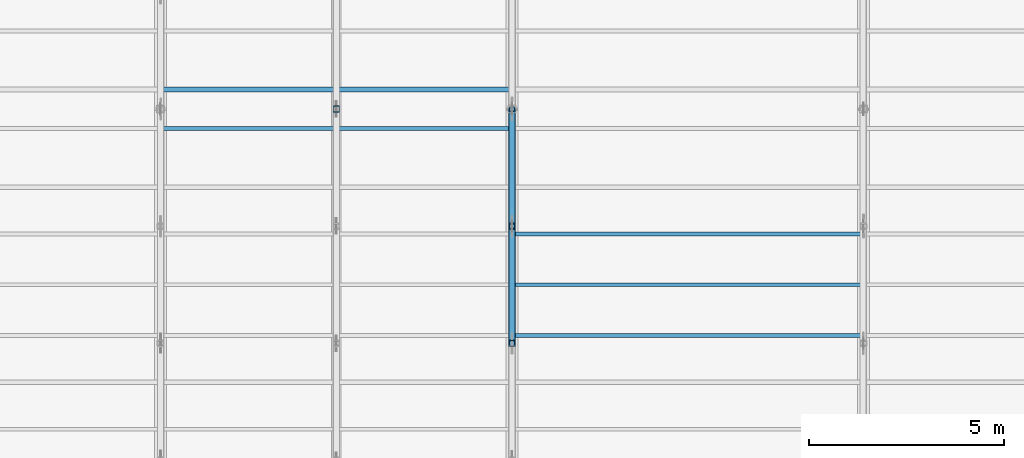
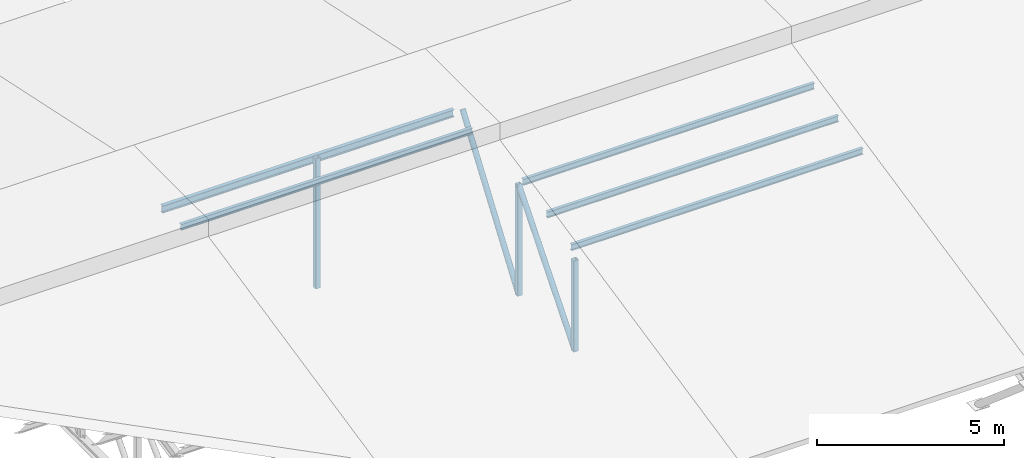
# One storey, part 23 of 43: 10 members.
"""IFC4 building model written with IfcOpenShell, lengths in metres."""

from ifc_helpers import new_model, si_unit, direction, frame, origin, origin_2d, place, context, subcontext, project, spatial, hollow_rectangle, hollow_circle, i_section, extrude, material, material_profile, profile_set, type_object, element, save


model = new_model("IFC4")

# Units and contexts
model_context = context("Model", 3, precision=1e-05, world=origin(), true_north=direction((0.0, 1.0)))
body_context = subcontext(model_context, "Body", "Model", "MODEL_VIEW")
ifc_project = project(units=[si_unit("LENGTHUNIT", "METRE"), si_unit("AREAUNIT", "SQUARE_METRE"), si_unit("VOLUMEUNIT", "CUBIC_METRE"), si_unit("PLANEANGLEUNIT", "RADIAN"), si_unit("MASSUNIT", "GRAM", prefix="KILO")], contexts=[model_context])

# Site, building, storey
site_placement = place(None, origin())
site = spatial("IfcSite", under=ifc_project, at=site_placement, CompositionType="ELEMENT")
building_placement = place(site_placement, origin())
building = spatial("IfcBuilding", under=site, at=building_placement, Name="Serraforn Aerial Cableway Station", CompositionType="ELEMENT")
storey_placement = place(building_placement, frame((0.0, 0.0, 18.300048828125)))
storey = spatial("IfcBuildingStorey", under=building, at=storey_placement, Name="RF", CompositionType="ELEMENT", Elevation=18.300048828125)

# Members
ifc_material_1 = material(Name="Steel S355J2", Category="steel")
ifc_material_profile_1 = material_profile(ifc_material_1, hollow_circle(Radius=0.084228515625, WallThickness=0.008056640625, at=origin_2d()), Name="CHS 168.3x8.0")
ifc_profile_set_1 = profile_set([ifc_material_profile_1], Name="Steel S355J2")
member_type_1 = type_object("IfcMemberType", Name="MEM-DG-CHS168", PredefinedType="BRACE", material=ifc_profile_set_1)
member_1_placement = place(storey_placement, frame((72.60009765625, 24.0, -1.35009765625), z_axis=(0.0, 0.641405529785, 0.767202024477), x_axis=(-1.0, 0.0, 0.0)))
element("IfcMember", 1, at=member_1_placement, inside=storey, type_object=member_type_1, Name="Roof Truss TR-06 Diagonal 3", PredefinedType="BRACE", context=body_context, shape_type="SweptSolid", body=[
    extrude(hollow_circle(Radius=0.084228515625, WallThickness=0.008056640625, at=origin_2d()), origin(), (0.0, 0.0, 1.0), 4.67724609375),
])
member_2_placement = place(storey_placement, frame((72.60009765625, 27.0, -1.35009765625), z_axis=(0.0, 0.578856146563, 0.815429679118), x_axis=(-1.0, 0.0, 0.0)))
element("IfcMember", 2, at=member_2_placement, inside=storey, type_object=member_type_1, Name="Roof Truss TR-06 Diagonal 4", PredefinedType="BRACE", context=body_context, shape_type="SweptSolid", body=[
    extrude(hollow_circle(Radius=0.084228515625, WallThickness=0.008056640625, at=origin_2d()), origin(), (0.0, 0.0, 1.0), 5.1826171875),
])
ifc_material_2 = material(Name="Steel S355JR", Category="steel")
ifc_material_profile_2 = material_profile(ifc_material_2, i_section(OverallWidth=0.10009765625, OverallDepth=0.199951171875, WebThickness=0.005615234375, FlangeThickness=0.008544921875, FilletRadius=0.011962890625, at=origin_2d()), Name="IPE 200")
ifc_profile_set_2 = profile_set([ifc_material_profile_2], Name="Steel S355JR")
member_type_2 = type_object("IfcMemberType", Name="MEM-PR-IPE200", PredefinedType="PURLIN", material=ifc_profile_set_2)
for number, where, z_axis, x_axis, name in (
    (3, (63.60009765625, 29.5, 2.48583984375), (1.0, 0.0, 0.0), (0.0, 1.0, 0.0), "Boarding Hall Purlin 5-7"),
    (4, (72.60009765625, 25.5, 2.163330078125), (1.0, 0.0, 0.0), (0.0, 1.0, 0.0), "Boarding Hall Purlin 6-5"),
    (5, (72.60009765625, 24.199951171875, 1.88720703125), (1.0, 0.0, 0.0), (0.0, 1.0, 0.0), "Boarding Hall Secondary Purlin 6-3"),
    (6, (72.60009765625, 26.800048828125, 2.439697265625), (1.0, 0.0, 0.0), (0.0, 1.0, 0.0), "Boarding Hall Secondary Purlin 6-4"),
):
    element("IfcMember", number, at=place(storey_placement, frame(where, z_axis=z_axis, x_axis=x_axis)), inside=storey, type_object=member_type_2, Name=name, PredefinedType="PURLIN", context=body_context, shape_type="SweptSolid", body=[
        extrude(i_section(OverallWidth=0.10009765625, OverallDepth=0.199951171875, WebThickness=0.005615234375, FlangeThickness=0.008544921875, FilletRadius=0.011962890625, at=origin_2d()), origin(), (0.0, 0.0, 1.0), 9.0),
    ])
ifc_material_profile_3 = material_profile(ifc_material_2, i_section(OverallWidth=0.1201171875, OverallDepth=0.239990234375, WebThickness=0.006103515625, FlangeThickness=0.009765625, FilletRadius=0.014892578125, at=origin_2d()), Name="IPE 240")
ifc_profile_set_3 = profile_set([ifc_material_profile_3], Name="Steel S355JR")
member_type_3 = type_object("IfcMemberType", Name="MEM-PR-IPE240", PredefinedType="PURLIN", material=ifc_profile_set_3)
member_3_placement = place(storey_placement, frame((63.60009765625, 30.5, 2.4658203125), z_axis=(1.0, 0.0, 0.0), x_axis=(0.0, 1.0, 0.0)))
element("IfcMember", 7, at=member_3_placement, inside=storey, type_object=member_type_3, Name="Boarding Hall Purlin 5-8", PredefinedType="PURLIN", context=body_context, shape_type="SweptSolid", body=[
    extrude(i_section(OverallWidth=0.1201171875, OverallDepth=0.239990234375, WebThickness=0.006103515625, FlangeThickness=0.009765625, FilletRadius=0.014892578125, at=origin_2d()), origin(), (0.0, 0.0, 1.0), 9.0),
])
ifc_material_profile_4 = material_profile(ifc_material_1, hollow_rectangle(XDim=0.159912109375, YDim=0.159912109375, WallThickness=0.008056640625, InnerFilletRadius=0.008056640625, OuterFilletRadius=0.01611328125, at=origin_2d()), Name="SHS 160x160x8.0")
ifc_profile_set_4 = profile_set([ifc_material_profile_4], Name="Steel S355J2")
member_type_4 = type_object("IfcMemberType", Name="MEM-VP-SHS160", PredefinedType="STRUT", material=ifc_profile_set_4)
member_4_placement = place(storey_placement, frame((72.60009765625, 24.0, -1.360107421875), z_axis=(0.0, 0.0, 1.0), x_axis=(1.0, 0.0, 0.0)))
element("IfcMember", 8, at=member_4_placement, inside=storey, type_object=member_type_4, Name="Roof Truss TR-06 Vertical Post 3", PredefinedType="STRUT", context=body_context, shape_type="SweptSolid", body=[
    extrude(hollow_rectangle(XDim=0.159912109375, YDim=0.159912109375, WallThickness=0.008056640625, InnerFilletRadius=0.008056640625, OuterFilletRadius=0.01611328125, at=origin_2d()), origin(), (0.0, 0.0, 1.0), 2.970703125),
])
member_5_placement = place(storey_placement, frame((72.60009765625, 27.0, -1.360107421875), z_axis=(0.0, 0.0, 1.0), x_axis=(1.0, 0.0, 0.0)))
element("IfcMember", 9, at=member_5_placement, inside=storey, type_object=member_type_4, Name="Roof Truss TR-06 Vertical Post 4", PredefinedType="STRUT", context=body_context, shape_type="SweptSolid", body=[
    extrude(hollow_rectangle(XDim=0.159912109375, YDim=0.159912109375, WallThickness=0.008056640625, InnerFilletRadius=0.008056640625, OuterFilletRadius=0.01611328125, at=origin_2d()), origin(), (0.0, 0.0, 1.0), 3.6083984375),
])
member_6_placement = place(storey_placement, frame((68.10009765625, 30.0, -1.360107421875), z_axis=(0.0, 0.0, 1.0), x_axis=(1.0, 0.0, 0.0)))
element("IfcMember", 10, at=member_6_placement, inside=storey, type_object=member_type_4, Name="Intermediate Truss TRM-05 Post 5", PredefinedType="STRUT", context=body_context, shape_type="SweptSolid", body=[
    extrude(hollow_rectangle(XDim=0.159912109375, YDim=0.159912109375, WallThickness=0.008056640625, InnerFilletRadius=0.008056640625, OuterFilletRadius=0.01611328125, at=origin_2d()), origin(), (0.0, 0.0, 1.0), 4.24609375),
])

save(model, "model.ifc")
